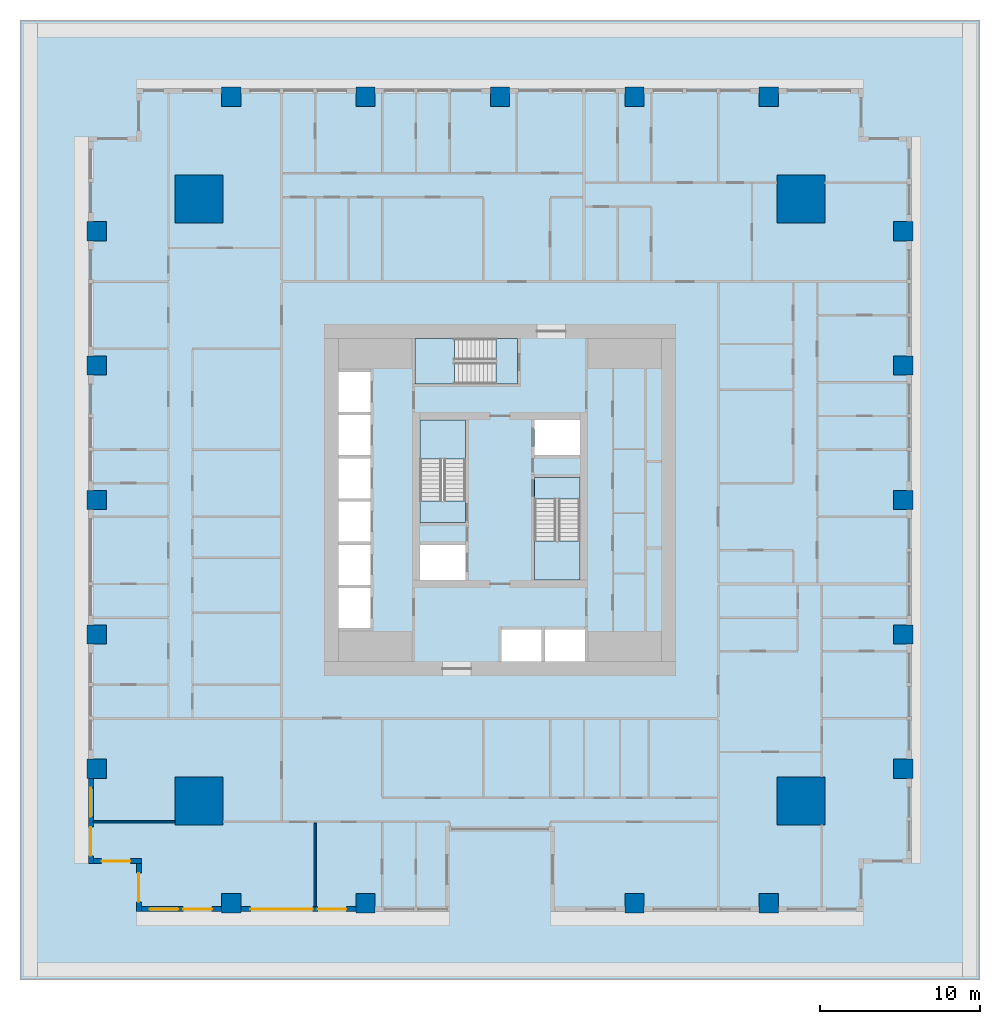
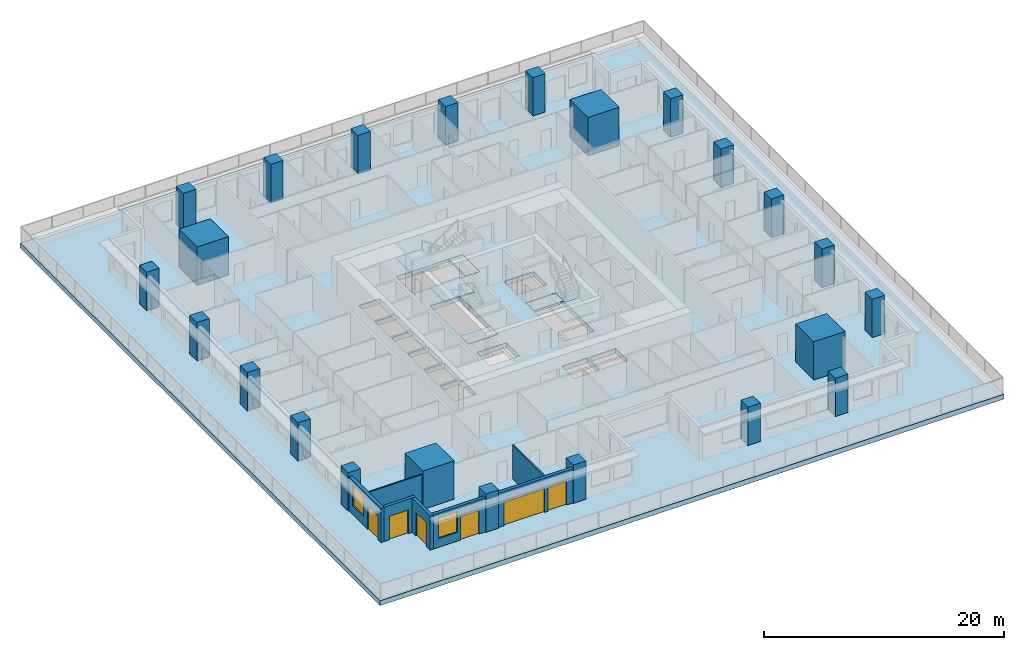
# One storey, part 1 of 16: 23 columns, 7 slabs, 7 walls, 6 doors, 2 windows, 8 openings, 3 elements without a shape of their own.
"""IFC4 building model written with IfcOpenShell, lengths in metres."""

from ifc_helpers import new_model, si_unit, direction, frame, frame_2d, origin, origin_2d, place, context, subcontext, project, spatial, polyline, rectangle, outline, extrude, material, layer, layer_set, material_profile, profile_set, type_object, element, fill, aggregate, save


model = new_model("IFC4")

# Units and contexts
model_context = context("Model", 3, precision=1e-05, world=origin(), true_north=direction((0.0, 1.0)))
body_context = subcontext(model_context, "Body", "Model", "MODEL_VIEW")
ifc_project = project(units=[si_unit("LENGTHUNIT", "METRE"), si_unit("AREAUNIT", "SQUARE_METRE"), si_unit("VOLUMEUNIT", "CUBIC_METRE"), si_unit("PLANEANGLEUNIT", "RADIAN"), si_unit("MASSUNIT", "GRAM", prefix="KILO")], contexts=[model_context])

# Site, building, storey
site_placement = place(None, origin())
site = spatial("IfcSite", under=ifc_project, at=site_placement, CompositionType="ELEMENT")
building_placement = place(site_placement, origin())
building = spatial("IfcBuilding", under=site, at=building_placement, Name="Khepri Terraces", CompositionType="ELEMENT")
storey_placement = place(building_placement, frame((0.0, 0.0, 27.0)))
storey = spatial("IfcBuildingStorey", under=building, at=storey_placement, Name="L05", CompositionType="ELEMENT", Elevation=27.0)

# Columns
ifc_material_1 = material(Name="Concrete C80/95", Category="concrete")
ifc_material_profile_1 = material_profile(ifc_material_1, rectangle(XDim=3.0, YDim=3.0, at=origin_2d()), Name="Concrete C80/95", Category="concrete")
ifc_profile_set_1 = profile_set([ifc_material_profile_1], Name="Concrete C80/95")
column_type_1 = type_object("IfcColumnType", Name="Mega column RC 3000x3000 C80/95", PredefinedType="COLUMN", material=ifc_profile_set_1)
for number, where, z_axis, x_axis, name in (
    (1, (18.800048828125, 18.800048828125, 0.0), (0.0, 0.0, 1.0), (1.0, 0.0, 0.0), "Mega column MEN L05"),
    (2, (18.800048828125, -18.800048828125, 0.0), (0.0, 0.0, 1.0), (1.0, 0.0, 0.0), "Mega column MES L05"),
    (3, (-18.800048828125, 18.800048828125, 0.0), (0.0, 0.0, 1.0), (1.0, 0.0, 0.0), "Mega column MWN L05"),
    (4, (-18.800048828125, -18.800048828125, 0.0), (0.0, 0.0, 1.0), (1.0, 0.0, 0.0), "Mega column MWS L05"),
):
    element("IfcColumn", number, at=place(storey_placement, frame(where, z_axis=z_axis, x_axis=x_axis)), inside=storey, type_object=column_type_1, Name=name, PredefinedType="COLUMN", context=body_context, shape_type="SweptSolid", body=[
        extrude(rectangle(XDim=3.0, YDim=3.0, at=origin_2d()), origin(), (0.0, 0.0, 1.0), 3.89990234375),
    ])
ifc_material_profile_2 = material_profile(ifc_material_1, rectangle(XDim=1.199951171875, YDim=1.199951171875, at=origin_2d()), Name="Concrete C80/95", Category="concrete")
ifc_profile_set_2 = profile_set([ifc_material_profile_2], Name="Concrete C80/95")
column_type_2 = type_object("IfcColumnType", Name="Tower column RC 1200x1200 C80/95", PredefinedType="COLUMN", material=ifc_profile_set_2)
for number, where, z_axis, x_axis, name in (
    (5, (25.199951171875, 0.0, 0.0), (0.0, 0.0, 1.0), (1.0, 0.0, 0.0), "Perimeter column PE+000a L05"),
    (6, (25.199951171875, 8.39990234375, 0.0), (0.0, 0.0, 1.0), (1.0, 0.0, 0.0), "Perimeter column PE+084a L05"),
    (7, (25.199951171875, 16.800048828125, 0.0), (0.0, 0.0, 1.0), (1.0, 0.0, 0.0), "Perimeter column PE+168a L05"),
    (8, (25.199951171875, -8.39990234375, 0.0), (0.0, 0.0, 1.0), (1.0, 0.0, 0.0), "Perimeter column PE-084a L05"),
    (9, (25.199951171875, -16.800048828125, 0.0), (0.0, 0.0, 1.0), (1.0, 0.0, 0.0), "Perimeter column PE-168a L05"),
    (10, (0.0, 25.199951171875, 0.0), (0.0, 0.0, 1.0), (1.0, 0.0, 0.0), "Perimeter column PN+000a L05"),
    (11, (-8.39990234375, 25.199951171875, 0.0), (0.0, 0.0, 1.0), (1.0, 0.0, 0.0), "Perimeter column PN+084a L05"),
    (12, (-16.800048828125, 25.199951171875, 0.0), (0.0, 0.0, 1.0), (1.0, 0.0, 0.0), "Perimeter column PN+168a L05"),
    (13, (8.39990234375, 25.199951171875, 0.0), (0.0, 0.0, 1.0), (1.0, 0.0, 0.0), "Perimeter column PN-084a L05"),
    (14, (16.800048828125, 25.199951171875, 0.0), (0.0, 0.0, 1.0), (1.0, 0.0, 0.0), "Perimeter column PN-168a L05"),
    (15, (8.39990234375, -25.199951171875, 0.0), (0.0, 0.0, 1.0), (1.0, 0.0, 0.0), "Perimeter column PS+084a L05"),
    (16, (16.800048828125, -25.199951171875, 0.0), (0.0, 0.0, 1.0), (1.0, 0.0, 0.0), "Perimeter column PS+168a L05"),
    (17, (-8.39990234375, -25.199951171875, 0.0), (0.0, 0.0, 1.0), (1.0, 0.0, 0.0), "Perimeter column PS-084a L05"),
    (18, (-16.800048828125, -25.199951171875, 0.0), (0.0, 0.0, 1.0), (1.0, 0.0, 0.0), "Perimeter column PS-168a L05"),
    (19, (-25.199951171875, 0.0, 0.0), (0.0, 0.0, 1.0), (1.0, 0.0, 0.0), "Perimeter column PW+000a L05"),
    (20, (-25.199951171875, -8.39990234375, 0.0), (0.0, 0.0, 1.0), (1.0, 0.0, 0.0), "Perimeter column PW+084a L05"),
    (21, (-25.199951171875, -16.800048828125, 0.0), (0.0, 0.0, 1.0), (1.0, 0.0, 0.0), "Perimeter column PW+168a L05"),
    (22, (-25.199951171875, 8.39990234375, 0.0), (0.0, 0.0, 1.0), (1.0, 0.0, 0.0), "Perimeter column PW-084a L05"),
    (23, (-25.199951171875, 16.800048828125, 0.0), (0.0, 0.0, 1.0), (1.0, 0.0, 0.0), "Perimeter column PW-168a L05"),
):
    element("IfcColumn", number, at=place(storey_placement, frame(where, z_axis=z_axis, x_axis=x_axis)), inside=storey, type_object=column_type_2, Name=name, PredefinedType="COLUMN", context=body_context, shape_type="SweptSolid", body=[
        extrude(rectangle(XDim=1.199951171875, YDim=1.199951171875, at=origin_2d()), origin(), (0.0, 0.0, 1.0), 3.89990234375),
    ])

# Slab
ifc_material_2 = material(Name="Concrete C40/50", Category="concrete")
ifc_layer_1 = layer(ifc_material_2, 0.5, Name="Concrete C40/50", Category="concrete")
ifc_layer_set_1 = layer_set([ifc_layer_1], Name="Concrete C40/50")
slab_type_1 = type_object("IfcSlabType", Name="Plant floor slab 500", PredefinedType="FLOOR", material=ifc_layer_set_1)
slab_1_placement = place(storey_placement, frame((0.0, 0.0, -0.5)))
element("IfcSlab", 24, at=slab_1_placement, inside=storey, type_object=slab_type_1, Name="Floor slab F01 L05", PredefinedType="FLOOR", context=body_context, shape_type="SweptSolid", body=[
    extrude(outline(polyline([(30.0, -30.0), (-30.0, -30.0), (-30.0, -25.719970703125), (-30.0, 25.719970703125), (-30.0, 30.0), (30.0, 30.0), (30.0, 25.719970703125), (30.0, -25.719970703125), (30.0, -30.0)]), holes=[polyline([(5.0, 5.0), (2.14990234375, 5.0), (2.14990234375, 2.800048828125), (5.0, 2.800048828125), (5.0, 5.0)]), polyline([(-2.14990234375, -5.0), (-2.14990234375, -2.800048828125), (-5.0, -2.800048828125), (-5.0, -5.0), (-2.14990234375, -5.0)]), polyline([(-10.10009765625, -8.0), (-8.10009765625, -8.0), (-8.10009765625, -5.5), (-10.10009765625, -5.5), (-10.10009765625, -8.0)]), polyline([(-10.10009765625, -2.800048828125), (-10.10009765625, -5.300048828125), (-8.10009765625, -5.300048828125), (-8.10009765625, -2.800048828125), (-10.10009765625, -2.800048828125)]), polyline([(-8.10009765625, -0.10009765625), (-10.10009765625, -0.10009765625), (-10.10009765625, -2.60009765625), (-8.10009765625, -2.60009765625), (-8.10009765625, -0.10009765625)]), polyline([(-8.10009765625, 0.10009765625), (-8.10009765625, 2.60009765625), (-10.10009765625, 2.60009765625), (-10.10009765625, 0.10009765625), (-8.10009765625, 0.10009765625)]), polyline([(-10.10009765625, 2.800048828125), (-8.10009765625, 2.800048828125), (-8.10009765625, 5.300048828125), (-10.10009765625, 5.300048828125), (-10.10009765625, 2.800048828125)]), polyline([(-10.10009765625, 8.0), (-10.10009765625, 5.5), (-8.10009765625, 5.5), (-8.10009765625, 8.0), (-10.10009765625, 8.0)]), polyline([(2.60009765625, -8.10009765625), (0.10009765625, -8.10009765625), (0.10009765625, -10.10009765625), (2.60009765625, -10.10009765625), (2.60009765625, -8.10009765625)]), polyline([(5.300048828125, -10.10009765625), (5.300048828125, -8.10009765625), (2.800048828125, -8.10009765625), (2.800048828125, -10.10009765625), (5.300048828125, -10.10009765625)]), polyline([(-5.0, -1.39990234375), (-2.14990234375, -1.39990234375), (-2.14990234375, 5.0), (-5.0, 5.0), (-5.0, -1.39990234375)]), polyline([(5.0, -5.0), (5.0, 1.39990234375), (2.14990234375, 1.39990234375), (2.14990234375, -5.0), (5.0, -5.0)]), polyline([(-5.300048828125, 10.10009765625), (-5.300048828125, 7.25), (1.10009765625, 7.25), (1.10009765625, 10.10009765625), (-5.300048828125, 10.10009765625)])]), origin(), (0.0, 0.0, 1.0), 0.5),
])

# Stair, slabs
stair_type = type_object("IfcStairType", Name="STAIR-RC-22R", PredefinedType="HALF_TURN_STAIR", material=ifc_material_2)
stair_1_placement = place(storey_placement, origin())
stair_1 = element("IfcStair", 25, at=stair_1_placement, inside=storey, type_object=stair_type, Name="L05 Exit Stair ST-1", PredefinedType="HALF_TURN_STAIR")
ifc_layer_2 = layer(ifc_material_2, 0.199951171875, Name="Concrete C40/50", Category="concrete")
ifc_layer_set_2 = layer_set([ifc_layer_2], Name="Concrete C40/50")
slab_type_2 = type_object("IfcSlabType", Name="SLB-CORE-LANDING", PredefinedType="LANDING", material=ifc_layer_set_2)
slab_2_placement = place(storey_placement, frame((0.0, 0.0, -0.199951171875)))
slab_2 = element("IfcSlab", 26, at=slab_2_placement, type_object=slab_type_2, Name="ST-1 landing 1", PredefinedType="LANDING", context=body_context, shape_type="SweptSolid", body=[
    extrude(outline(polyline([(-2.14990234375, -1.39990234375), (-2.14990234375, -0.050048828125), (-5.0, -0.050048828125), (-5.0, -1.39990234375), (-2.14990234375, -1.39990234375)])), origin(), (0.0, 0.0, 1.0), 0.199951171875),
])
slab_3_placement = place(storey_placement, frame((0.0, 0.0, 1.75)))
slab_3 = element("IfcSlab", 27, at=slab_3_placement, type_object=slab_type_2, Name="ST-1 landing 2", PredefinedType="LANDING", context=body_context, shape_type="SweptSolid", body=[
    extrude(outline(polyline([(-2.14990234375, 2.550048828125), (-2.14990234375, 5.0), (-5.0, 5.0), (-5.0, 2.550048828125), (-2.14990234375, 2.550048828125)])), origin(), (0.0, 0.0, 1.0), 0.199951171875),
])
aggregate(stair_1, [slab_2, slab_3])

stair_2_placement = place(storey_placement, origin())
stair_2 = element("IfcStair", 28, at=stair_2_placement, inside=storey, type_object=stair_type, Name="L05 Exit Stair ST-2", PredefinedType="HALF_TURN_STAIR")
slab_4_placement = place(storey_placement, frame((0.0, 0.0, -0.199951171875)))
slab_4 = element("IfcSlab", 29, at=slab_4_placement, type_object=slab_type_2, Name="ST-2 landing 1", PredefinedType="LANDING", context=body_context, shape_type="SweptSolid", body=[
    extrude(outline(polyline([(2.14990234375, 1.39990234375), (2.14990234375, 0.050048828125), (5.0, 0.050048828125), (5.0, 1.39990234375), (2.14990234375, 1.39990234375)])), origin(), (0.0, 0.0, 1.0), 0.199951171875),
])
slab_5_placement = place(storey_placement, frame((0.0, 0.0, 1.75)))
slab_5 = element("IfcSlab", 30, at=slab_5_placement, type_object=slab_type_2, Name="ST-2 landing 2", PredefinedType="LANDING", context=body_context, shape_type="SweptSolid", body=[
    extrude(outline(polyline([(2.14990234375, -2.550048828125), (2.14990234375, -5.0), (5.0, -5.0), (5.0, -2.550048828125), (2.14990234375, -2.550048828125)])), origin(), (0.0, 0.0, 1.0), 0.199951171875),
])
aggregate(stair_2, [slab_4, slab_5])

stair_3_placement = place(storey_placement, origin())
stair_3 = element("IfcStair", 31, at=stair_3_placement, inside=storey, type_object=stair_type, Name="L05 Exit Stair ST-3", PredefinedType="HALF_TURN_STAIR")
slab_6_placement = place(storey_placement, frame((0.0, 0.0, -0.199951171875)))
slab_6 = element("IfcSlab", 32, at=slab_6_placement, type_object=slab_type_2, Name="ST-3 landing 1", PredefinedType="LANDING", context=body_context, shape_type="SweptSolid", body=[
    extrude(outline(polyline([(1.10009765625, 10.10009765625), (-0.25, 10.10009765625), (-0.25, 7.25), (1.10009765625, 7.25), (1.10009765625, 10.10009765625)])), origin(), (0.0, 0.0, 1.0), 0.199951171875),
])
slab_7_placement = place(storey_placement, frame((0.0, 0.0, 1.75)))
slab_7 = element("IfcSlab", 33, at=slab_7_placement, type_object=slab_type_2, Name="ST-3 landing 2", PredefinedType="LANDING", context=body_context, shape_type="SweptSolid", body=[
    extrude(outline(polyline([(-2.85009765625, 10.10009765625), (-5.300048828125, 10.10009765625), (-5.300048828125, 7.25), (-2.85009765625, 7.25), (-2.85009765625, 10.10009765625)])), origin(), (0.0, 0.0, 1.0), 0.199951171875),
])
aggregate(stair_3, [slab_6, slab_7])

# Wall, openings, door, window
ifc_material_3 = material(Name="Precast concrete C50/60 warm stone", Category="masonry")
ifc_layer_3 = layer(ifc_material_3, 0.300048828125, Name="Precast concrete C50/60 warm stone", Category="masonry")
ifc_layer_set_3 = layer_set([ifc_layer_3], Name="Precast concrete C50/60 warm stone")
wall_type_1 = type_object("IfcWallType", Name="WL-EXT-PRECAST-300", PredefinedType="STANDARD", material=ifc_layer_set_3)
wall_1_placement = place(storey_placement, frame((-25.570068359375, -17.39990234375, 0.0), z_axis=(0.0, 0.0, 1.0), x_axis=(0.0, -1.0, 0.0)))
wall_1 = element("IfcWall", 34, at=wall_1_placement, inside=storey, type_object=wall_type_1, Name="External wall L05 W", PredefinedType="STANDARD", context=body_context, shape_type="SweptSolid", body=[
    extrude(rectangle(XDim=5.320068359375, YDim=0.300048828125, at=frame_2d((2.66015625, 0.0))), origin(), (0.0, 0.0, 1.0), 3.47998046875),
])
opening_1_placement = place(wall_1_placement, frame((0.60009765625, 0.0, 0.89990234375)))
opening_1 = element("IfcOpeningElement", 35, at=opening_1_placement, cuts=wall_1, Name="Opening W1", PredefinedType="OPENING", context=body_context, shape_type="SweptSolid", body=[
    extrude(rectangle(XDim=1.800048828125, YDim=2.10009765625, at=frame_2d((0.89990234375, 1.050048828125))), frame((0.0, 0.16015625, 0.0), z_axis=(0.0, -1.0, 0.0), x_axis=(1.0, 0.0, 0.0)), (0.0, 0.0, 1.0), 0.320068359375),
])
opening_2_placement = place(wall_1_placement, frame((3.044921875, 0.0, 0.0)))
opening_2 = element("IfcOpeningElement", 36, at=opening_2_placement, cuts=wall_1, Name="Opening ED-L05-21", PredefinedType="OPENING", context=body_context, shape_type="SweptSolid", body=[
    extrude(rectangle(XDim=1.800048828125, YDim=2.39990234375, at=frame_2d((0.89990234375, 1.199951171875))), frame((0.0, 0.16015625, 0.0), z_axis=(0.0, -1.0, 0.0), x_axis=(1.0, 0.0, 0.0)), (0.0, 0.0, 1.0), 0.320068359375),
])
ifc_material_4 = material(Name="Anodised aluminium bronze glazed door", Category="aluminium")
door_type_1 = type_object("IfcDoorType", Name="DR-BAL-SLIDE-1800x2400", OperationType="NOTDEFINED", PredefinedType="DOOR", material=ifc_material_4)
door_1_placement = place(opening_2_placement, origin())
door_1 = element("IfcDoor", 37, at=door_1_placement, inside=storey, type_object=door_type_1, Name="Balcony door L05 W", OperationType="SLIDING_TO_RIGHT", OverallHeight=2.39990234375, OverallWidth=1.800048828125, PredefinedType="DOOR", context=body_context, shape_type="SweptSolid", body=[
    extrude(rectangle(XDim=1.800048828125, YDim=2.39990234375, at=frame_2d((0.89990234375, 1.199951171875))), frame((0.0, 0.02490234375, 0.0), z_axis=(0.0, -1.0, 0.0), x_axis=(1.0, 0.0, 0.0)), (0.0, 0.0, 1.0), 0.050048828125),
])
fill(opening_2, door_1)
ifc_material_5 = material(Name="Clear glass", Category="glass")
window_type = type_object("IfcWindowType", Name="WIN-RES-1800x2100", PartitioningType="SINGLE_PANEL", PredefinedType="WINDOW", material=ifc_material_5)
window_1_placement = place(opening_1_placement, origin())
window_1 = element("IfcWindow", 38, at=window_1_placement, inside=storey, type_object=window_type, Name="Window L05 W", OverallHeight=2.10009765625, OverallWidth=1.800048828125, PartitioningType="SINGLE_PANEL", PredefinedType="WINDOW", context=body_context, shape_type="SweptSolid", body=[
    extrude(rectangle(XDim=1.800048828125, YDim=2.10009765625, at=frame_2d((0.89990234375, 1.050048828125))), frame((0.0, 0.030029296875, 0.0), z_axis=(0.0, -1.0, 0.0), x_axis=(1.0, 0.0, 0.0)), (0.0, 0.0, 1.0), 0.06005859375),
])
fill(opening_1, window_1)

# Wall, opening, door
wall_2_placement = place(storey_placement, frame((-25.419921875, -22.570068359375, 0.0), z_axis=(0.0, 0.0, 1.0), x_axis=(1.0, 0.0, 0.0)))
wall_2 = element("IfcWall", 39, at=wall_2_placement, inside=storey, type_object=wall_type_1, Name="External wall L05 S", PredefinedType="STANDARD", context=body_context, shape_type="SweptSolid", body=[
    extrude(rectangle(XDim=3.0, YDim=0.300048828125, at=frame_2d((1.5, 0.0))), origin(), (0.0, 0.0, 1.0), 3.47998046875),
])
opening_3_placement = place(wall_2_placement, frame((0.52490234375, 0.0, 0.0)))
opening_3 = element("IfcOpeningElement", 40, at=opening_3_placement, cuts=wall_2, Name="Opening ED-L05-22", PredefinedType="OPENING", context=body_context, shape_type="SweptSolid", body=[
    extrude(rectangle(XDim=1.800048828125, YDim=2.39990234375, at=frame_2d((0.89990234375, 1.199951171875))), frame((0.0, 0.16015625, 0.0), z_axis=(0.0, -1.0, 0.0), x_axis=(1.0, 0.0, 0.0)), (0.0, 0.0, 1.0), 0.320068359375),
])
door_2_placement = place(opening_3_placement, origin())
door_2 = element("IfcDoor", 41, at=door_2_placement, inside=storey, type_object=door_type_1, Name="Balcony door L05 S", OperationType="SLIDING_TO_LEFT", OverallHeight=2.39990234375, OverallWidth=1.800048828125, PredefinedType="DOOR", context=body_context, shape_type="SweptSolid", body=[
    extrude(rectangle(XDim=1.800048828125, YDim=2.39990234375, at=frame_2d((0.89990234375, 1.199951171875))), frame((0.0, 0.02490234375, 0.0), z_axis=(0.0, -1.0, 0.0), x_axis=(1.0, 0.0, 0.0)), (0.0, 0.0, 1.0), 0.050048828125),
])
fill(opening_3, door_2)

wall_3_placement = place(storey_placement, frame((-22.570068359375, -22.719970703125, 0.0), z_axis=(0.0, 0.0, 1.0), x_axis=(0.0, -1.0, 0.0)))
wall_3 = element("IfcWall", 42, at=wall_3_placement, inside=storey, type_object=wall_type_1, Name="External wall L05 W", PredefinedType="STANDARD", context=body_context, shape_type="SweptSolid", body=[
    extrude(rectangle(XDim=3.0, YDim=0.300048828125, at=frame_2d((1.5, 0.0))), origin(), (0.0, 0.0, 1.0), 3.47998046875),
])
opening_4_placement = place(wall_3_placement, frame((0.60009765625, 0.0, 0.0)))
opening_4 = element("IfcOpeningElement", 43, at=opening_4_placement, cuts=wall_3, Name="Opening ED-L05-23", PredefinedType="OPENING", context=body_context, shape_type="SweptSolid", body=[
    extrude(rectangle(XDim=1.800048828125, YDim=2.39990234375, at=frame_2d((0.89990234375, 1.199951171875))), frame((0.0, 0.16015625, 0.0), z_axis=(0.0, -1.0, 0.0), x_axis=(1.0, 0.0, 0.0)), (0.0, 0.0, 1.0), 0.320068359375),
])
door_3_placement = place(opening_4_placement, origin())
door_3 = element("IfcDoor", 44, at=door_3_placement, inside=storey, type_object=door_type_1, Name="Balcony door L05 W", OperationType="SLIDING_TO_RIGHT", OverallHeight=2.39990234375, OverallWidth=1.800048828125, PredefinedType="DOOR", context=body_context, shape_type="SweptSolid", body=[
    extrude(rectangle(XDim=1.800048828125, YDim=2.39990234375, at=frame_2d((0.89990234375, 1.199951171875))), frame((0.0, 0.02490234375, 0.0), z_axis=(0.0, -1.0, 0.0), x_axis=(1.0, 0.0, 0.0)), (0.0, 0.0, 1.0), 0.050048828125),
])
fill(opening_4, door_3)

# Wall, openings, door, window
wall_4_placement = place(storey_placement, frame((-22.419921875, -25.570068359375, 0.0), z_axis=(0.0, 0.0, 1.0), x_axis=(1.0, 0.0, 0.0)))
wall_4 = element("IfcWall", 45, at=wall_4_placement, inside=storey, type_object=wall_type_1, Name="External wall L05 S", PredefinedType="STANDARD", context=body_context, shape_type="SweptSolid", body=[
    extrude(rectangle(XDim=5.02001953125, YDim=0.300048828125, at=frame_2d((2.510009765625, 0.0))), origin(), (0.0, 0.0, 1.0), 3.47998046875),
])
opening_5_placement = place(wall_4_placement, frame((0.52001953125, 0.0, 0.89990234375)))
opening_5 = element("IfcOpeningElement", 46, at=opening_5_placement, cuts=wall_4, Name="Opening W1", PredefinedType="OPENING", context=body_context, shape_type="SweptSolid", body=[
    extrude(rectangle(XDim=1.800048828125, YDim=2.10009765625, at=frame_2d((0.89990234375, 1.050048828125))), frame((0.0, 0.16015625, 0.0), z_axis=(0.0, -1.0, 0.0), x_axis=(1.0, 0.0, 0.0)), (0.0, 0.0, 1.0), 0.320068359375),
])
opening_6_placement = place(wall_4_placement, frame((2.6201171875, 0.0, 0.0)))
opening_6 = element("IfcOpeningElement", 47, at=opening_6_placement, cuts=wall_4, Name="Opening ED-L05-24", PredefinedType="OPENING", context=body_context, shape_type="SweptSolid", body=[
    extrude(rectangle(XDim=1.800048828125, YDim=2.39990234375, at=frame_2d((0.89990234375, 1.199951171875))), frame((0.0, 0.16015625, 0.0), z_axis=(0.0, -1.0, 0.0), x_axis=(1.0, 0.0, 0.0)), (0.0, 0.0, 1.0), 0.320068359375),
])
door_4_placement = place(opening_6_placement, origin())
door_4 = element("IfcDoor", 48, at=door_4_placement, inside=storey, type_object=door_type_1, Name="Balcony door L05 S", OperationType="SLIDING_TO_RIGHT", OverallHeight=2.39990234375, OverallWidth=1.800048828125, PredefinedType="DOOR", context=body_context, shape_type="SweptSolid", body=[
    extrude(rectangle(XDim=1.800048828125, YDim=2.39990234375, at=frame_2d((0.89990234375, 1.199951171875))), frame((0.0, 0.02490234375, 0.0), z_axis=(0.0, -1.0, 0.0), x_axis=(1.0, 0.0, 0.0)), (0.0, 0.0, 1.0), 0.050048828125),
])
fill(opening_6, door_4)
window_2_placement = place(opening_5_placement, origin())
window_2 = element("IfcWindow", 49, at=window_2_placement, inside=storey, type_object=window_type, Name="Window L05 S", OverallHeight=2.10009765625, OverallWidth=1.800048828125, PartitioningType="SINGLE_PANEL", PredefinedType="WINDOW", context=body_context, shape_type="SweptSolid", body=[
    extrude(rectangle(XDim=1.800048828125, YDim=2.10009765625, at=frame_2d((0.89990234375, 1.050048828125))), frame((0.0, 0.030029296875, 0.0), z_axis=(0.0, -1.0, 0.0), x_axis=(1.0, 0.0, 0.0)), (0.0, 0.0, 1.0), 0.06005859375),
])
fill(opening_5, window_2)

# Wall, openings, doors
wall_5_placement = place(storey_placement, frame((-16.199951171875, -25.570068359375, 0.0), z_axis=(0.0, 0.0, 1.0), x_axis=(1.0, 0.0, 0.0)))
wall_5 = element("IfcWall", 50, at=wall_5_placement, inside=storey, type_object=wall_type_1, Name="External wall L05 S", PredefinedType="STANDARD", context=body_context, shape_type="SweptSolid", body=[
    extrude(rectangle(XDim=7.199951171875, YDim=0.300048828125, at=frame_2d((3.60009765625, 0.0))), origin(), (0.0, 0.0, 1.0), 3.47998046875),
])
opening_7_placement = place(wall_5_placement, frame((0.60009765625, 0.0, 0.0)))
opening_7 = element("IfcOpeningElement", 51, at=opening_7_placement, cuts=wall_5, Name="Opening ED-L05-25", PredefinedType="OPENING", context=body_context, shape_type="SweptSolid", body=[
    extrude(rectangle(XDim=3.89990234375, YDim=2.39990234375, at=frame_2d((1.949951171875, 1.199951171875))), frame((0.0, 0.16015625, 0.0), z_axis=(0.0, -1.0, 0.0), x_axis=(1.0, 0.0, 0.0)), (0.0, 0.0, 1.0), 0.320068359375),
])
opening_8_placement = place(wall_5_placement, frame((4.800048828125, 0.0, 0.0)))
opening_8 = element("IfcOpeningElement", 52, at=opening_8_placement, cuts=wall_5, Name="Opening ED-L05-26", PredefinedType="OPENING", context=body_context, shape_type="SweptSolid", body=[
    extrude(rectangle(XDim=1.800048828125, YDim=2.39990234375, at=frame_2d((0.89990234375, 1.199951171875))), frame((0.0, 0.16015625, 0.0), z_axis=(0.0, -1.0, 0.0), x_axis=(1.0, 0.0, 0.0)), (0.0, 0.0, 1.0), 0.320068359375),
])
door_5_placement = place(opening_8_placement, origin())
door_5 = element("IfcDoor", 53, at=door_5_placement, inside=storey, type_object=door_type_1, Name="Balcony door L05 S", OperationType="SLIDING_TO_RIGHT", OverallHeight=2.39990234375, OverallWidth=1.800048828125, PredefinedType="DOOR", context=body_context, shape_type="SweptSolid", body=[
    extrude(rectangle(XDim=1.800048828125, YDim=2.39990234375, at=frame_2d((0.89990234375, 1.199951171875))), frame((0.0, 0.02490234375, 0.0), z_axis=(0.0, -1.0, 0.0), x_axis=(1.0, 0.0, 0.0)), (0.0, 0.0, 1.0), 0.050048828125),
])
fill(opening_8, door_5)
door_type_2 = type_object("IfcDoorType", Name="DR-BAL-SLIDE-3900x2400", OperationType="NOTDEFINED", PredefinedType="DOOR", material=ifc_material_4)
door_6_placement = place(opening_7_placement, origin())
door_6 = element("IfcDoor", 54, at=door_6_placement, inside=storey, type_object=door_type_2, Name="Balcony door L05 S", OperationType="SLIDING_TO_LEFT", OverallHeight=2.39990234375, OverallWidth=3.89990234375, PredefinedType="DOOR", context=body_context, shape_type="SweptSolid", body=[
    extrude(rectangle(XDim=3.89990234375, YDim=2.39990234375, at=frame_2d((1.949951171875, 1.199951171875))), frame((0.0, 0.02490234375, 0.0), z_axis=(0.0, -1.0, 0.0), x_axis=(1.0, 0.0, 0.0)), (0.0, 0.0, 1.0), 0.050048828125),
])
fill(opening_7, door_6)

# Walls
ifc_material_6 = material(Name="Gypsum plasterboard partition")
ifc_layer_4 = layer(ifc_material_6, 0.1201171875, Name="Gypsum plasterboard partition")
ifc_layer_set_4 = layer_set([ifc_layer_4], Name="Gypsum plasterboard partition")
wall_type_2 = type_object("IfcWallType", Name="WL-PART-120", PredefinedType="PARTITIONING", material=ifc_layer_set_4)
wall_6_placement = place(storey_placement, frame((-11.550048828125, -25.419921875, 0.0), z_axis=(0.0, 0.0, 1.0), x_axis=(0.0, 1.0, 0.0)))
element("IfcWall", 55, at=wall_6_placement, inside=storey, type_object=wall_type_2, Name="Partition P-001 L05", PredefinedType="PARTITIONING", context=body_context, shape_type="SweptSolid", body=[
    extrude(rectangle(XDim=5.239990234375, YDim=0.1201171875, at=frame_2d((2.6201171875, 0.0))), origin(), (0.0, 0.0, 1.0), 3.47998046875),
])
wall_7_placement = place(storey_placement, frame((-25.419921875, -20.1201171875, 0.0), z_axis=(0.0, 0.0, 1.0), x_axis=(1.0, 0.0, 0.0)))
element("IfcWall", 56, at=wall_7_placement, inside=storey, type_object=wall_type_2, Name="Partition P-008 L05", PredefinedType="PARTITIONING", context=body_context, shape_type="SweptSolid", body=[
    extrude(rectangle(XDim=5.119873046875, YDim=0.1201171875, at=frame_2d((2.56005859375, 0.0))), origin(), (0.0, 0.0, 1.0), 3.47998046875),
])

save(model, "model.ifc")
